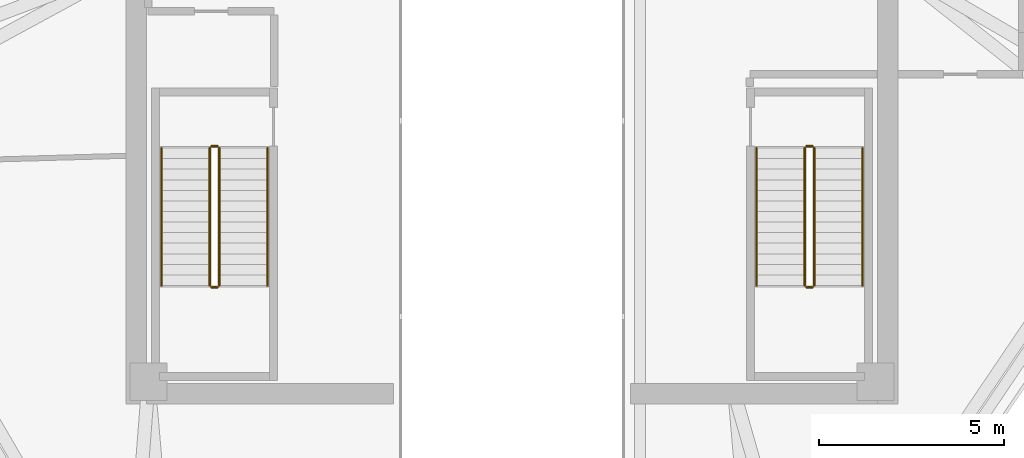
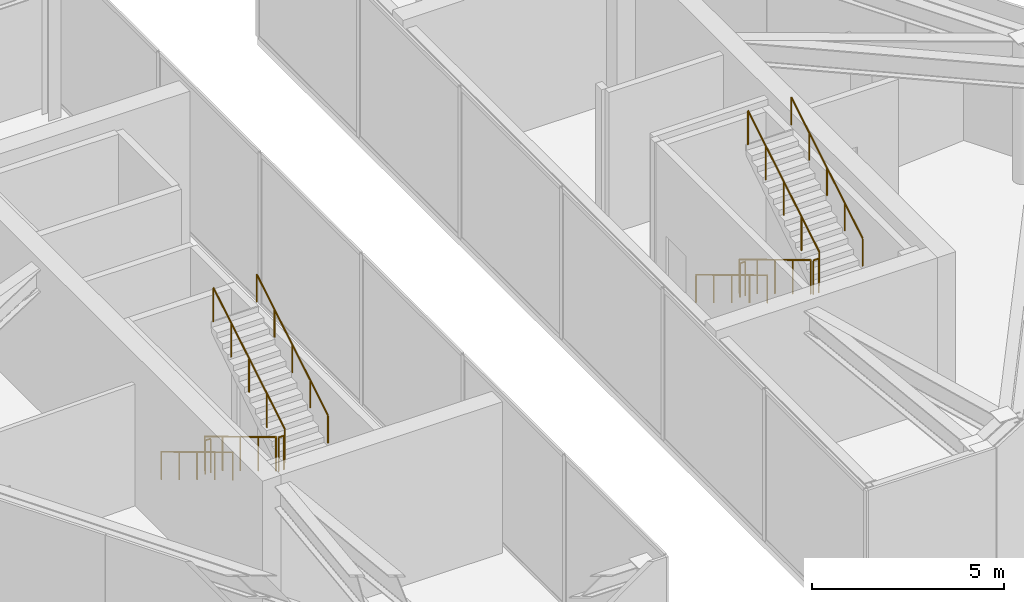
# One storey, part 8 of 8: 12 railings.
"""IFC4 building model written with IfcOpenShell, lengths in metres."""

from ifc_helpers import new_model, si_unit, direction, frame, origin, origin_2d, place, context, subcontext, project, spatial, circle, extrude, material, type_object, element, save


model = new_model("IFC4")

# Units and contexts
model_context = context("Model", 3, precision=1e-05, world=origin(), true_north=direction((0.0, 1.0)))
body_context = subcontext(model_context, "Body", "Model", "MODEL_VIEW")
ifc_project = project(units=[si_unit("LENGTHUNIT", "METRE"), si_unit("AREAUNIT", "SQUARE_METRE"), si_unit("VOLUMEUNIT", "CUBIC_METRE"), si_unit("PLANEANGLEUNIT", "RADIAN"), si_unit("MASSUNIT", "GRAM", prefix="KILO")], contexts=[model_context])

# Site, building, storey
site_placement = place(None, origin())
site = spatial("IfcSite", under=ifc_project, at=site_placement, CompositionType="ELEMENT")
building_placement = place(site_placement, origin())
building = spatial("IfcBuilding", under=site, at=building_placement, Name="Durnholm Broadcast Tower", CompositionType="ELEMENT")
storey_placement = place(building_placement, frame((0.0, 0.0, 277.300048828125)))
storey = spatial("IfcBuildingStorey", under=building, at=storey_placement, Name="L77", CompositionType="ELEMENT", Elevation=277.300048828125)

# Railings
ifc_material_1 = material(Name="Painted Tubular Steel Stair Guardrail", Category="steel")
railing_type_1 = type_object("IfcRailingType", Name="RAIL-ST-GRD", PredefinedType="GUARDRAIL", material=ifc_material_1)
railing_1_placement = place(storey_placement, frame((-8.14990234375, -1.5, 0.17138671875)))
element("IfcRailing", 1, at=railing_1_placement, inside=storey, type_object=railing_type_1, Name="L77 ST-1 stair guard 1", PredefinedType="GUARDRAIL", context=body_context, shape_type="SweptSolid", body=[
    extrude(circle(Radius=0.02392578125, at=origin_2d()), frame((0.0, 0.0, 1.076171875), z_axis=(0.0, -0.856934400257, 0.515425487977), x_axis=(1.0, 0.0, 0.0)), (0.0, 0.0, 1.0), 4.32373046875),
    extrude(circle(Radius=0.02099609375, at=origin_2d()), origin(), (0.0, 0.0, 1.0), 1.052001953125),
    extrude(circle(Radius=0.02099609375, at=origin_2d()), frame((0.0, -0.92626953125, 0.55712890625)), (0.0, 0.0, 1.0), 1.052001953125),
    extrude(circle(Radius=0.02099609375, at=origin_2d()), frame((0.0, -1.8525390625, 1.1142578125)), (0.0, 0.0, 1.0), 1.052001953125),
    extrude(circle(Radius=0.02099609375, at=origin_2d()), frame((0.0, -2.77880859375, 1.67138671875)), (0.0, 0.0, 1.0), 1.052001953125),
    extrude(circle(Radius=0.02099609375, at=origin_2d()), frame((0.0, -3.705078125, 2.228515625)), (0.0, 0.0, 1.0), 1.052001953125),
])
railing_2_placement = place(storey_placement, frame((-8.10009765625, -5.2548828125, 2.39990234375)))
element("IfcRailing", 2, at=railing_2_placement, inside=storey, type_object=railing_type_1, Name="L77 ST-1 stair guard 2", PredefinedType="GUARDRAIL", context=body_context, shape_type="SweptSolid", body=[
    extrude(circle(Radius=0.02392578125, at=origin_2d()), frame((0.0, 0.0, 1.076171875), z_axis=(1.0, 0.0, 0.0), x_axis=(0.0, 1.0, 0.0)), (0.0, 0.0, 1.0), 0.16015625),
    extrude(circle(Radius=0.02099609375, at=origin_2d()), origin(), (0.0, 0.0, 1.0), 1.052001953125),
    extrude(circle(Radius=0.02099609375, at=origin_2d()), frame((0.16015625, 0.0, 0.0)), (0.0, 0.0, 1.0), 1.052001953125),
])
railing_3_placement = place(storey_placement, frame((-7.889892578125, -5.205078125, 2.5712890625)))
element("IfcRailing", 3, at=railing_3_placement, inside=storey, type_object=railing_type_1, Name="L77 ST-1 stair guard 3", PredefinedType="GUARDRAIL", context=body_context, shape_type="SweptSolid", body=[
    extrude(circle(Radius=0.02392578125, at=origin_2d()), frame((0.0, 0.0, 1.076171875), z_axis=(0.0, 0.856909459561, 0.515466951525), x_axis=(-1.0, 0.0, 0.0)), (0.0, 0.0, 1.0), 4.32373046875),
    extrude(circle(Radius=0.02099609375, at=origin_2d()), origin(), (0.0, 0.0, 1.0), 1.052001953125),
    extrude(circle(Radius=0.02099609375, at=origin_2d()), frame((0.0, 0.92626953125, 0.55712890625)), (0.0, 0.0, 1.0), 1.052001953125),
    extrude(circle(Radius=0.02099609375, at=origin_2d()), frame((0.0, 1.8525390625, 1.1142578125)), (0.0, 0.0, 1.0), 1.052001953125),
    extrude(circle(Radius=0.02099609375, at=origin_2d()), frame((0.0, 2.77880859375, 1.671630859375)), (0.0, 0.0, 1.0), 1.052001953125),
    extrude(circle(Radius=0.02099609375, at=origin_2d()), frame((0.0, 3.705078125, 2.228759765625)), (0.0, 0.0, 1.0), 1.052001953125),
])
railing_4_placement = place(storey_placement, frame((-8.10009765625, -1.449951171875, 0.0)))
element("IfcRailing", 4, at=railing_4_placement, inside=storey, type_object=railing_type_1, Name="L77 ST-1 stair guard 4", PredefinedType="GUARDRAIL", context=body_context, shape_type="SweptSolid", body=[
    extrude(circle(Radius=0.02392578125, at=origin_2d()), frame((0.0, 0.0, 1.076171875), z_axis=(1.0, 0.0, 0.0), x_axis=(0.0, 1.0, 0.0)), (0.0, 0.0, 1.0), 0.16015625),
    extrude(circle(Radius=0.02099609375, at=origin_2d()), origin(), (0.0, 0.0, 1.0), 1.052001953125),
    extrude(circle(Radius=0.02099609375, at=origin_2d()), frame((0.16015625, 0.0, 0.0)), (0.0, 0.0, 1.0), 1.052001953125),
])
railing_5_placement = place(storey_placement, frame((7.889892578125, -1.5, 0.17138671875)))
element("IfcRailing", 5, at=railing_5_placement, inside=storey, type_object=railing_type_1, Name="L77 ST-2 stair guard 1", PredefinedType="GUARDRAIL", context=body_context, shape_type="SweptSolid", body=[
    extrude(circle(Radius=0.02392578125, at=origin_2d()), frame((0.0, 0.0, 1.076171875), z_axis=(0.0, -0.856934400257, 0.515425487977), x_axis=(1.0, 0.0, 0.0)), (0.0, 0.0, 1.0), 4.32373046875),
    extrude(circle(Radius=0.02099609375, at=origin_2d()), origin(), (0.0, 0.0, 1.0), 1.052001953125),
    extrude(circle(Radius=0.02099609375, at=origin_2d()), frame((0.0, -0.92626953125, 0.55712890625)), (0.0, 0.0, 1.0), 1.052001953125),
    extrude(circle(Radius=0.02099609375, at=origin_2d()), frame((0.0, -1.8525390625, 1.1142578125)), (0.0, 0.0, 1.0), 1.052001953125),
    extrude(circle(Radius=0.02099609375, at=origin_2d()), frame((0.0, -2.77880859375, 1.67138671875)), (0.0, 0.0, 1.0), 1.052001953125),
    extrude(circle(Radius=0.02099609375, at=origin_2d()), frame((0.0, -3.705078125, 2.228515625)), (0.0, 0.0, 1.0), 1.052001953125),
])
railing_6_placement = place(storey_placement, frame((7.93994140625, -5.2548828125, 2.39990234375)))
element("IfcRailing", 6, at=railing_6_placement, inside=storey, type_object=railing_type_1, Name="L77 ST-2 stair guard 2", PredefinedType="GUARDRAIL", context=body_context, shape_type="SweptSolid", body=[
    extrude(circle(Radius=0.02392578125, at=origin_2d()), frame((0.0, 0.0, 1.076171875), z_axis=(1.0, 0.0, 0.0), x_axis=(0.0, 1.0, 0.0)), (0.0, 0.0, 1.0), 0.16015625),
    extrude(circle(Radius=0.02099609375, at=origin_2d()), origin(), (0.0, 0.0, 1.0), 1.052001953125),
    extrude(circle(Radius=0.02099609375, at=origin_2d()), frame((0.16015625, 0.0, 0.0)), (0.0, 0.0, 1.0), 1.052001953125),
])
railing_7_placement = place(storey_placement, frame((8.14990234375, -5.205078125, 2.5712890625)))
element("IfcRailing", 7, at=railing_7_placement, inside=storey, type_object=railing_type_1, Name="L77 ST-2 stair guard 3", PredefinedType="GUARDRAIL", context=body_context, shape_type="SweptSolid", body=[
    extrude(circle(Radius=0.02392578125, at=origin_2d()), frame((0.0, 0.0, 1.076171875), z_axis=(0.0, 0.856909459561, 0.515466951525), x_axis=(-1.0, 0.0, 0.0)), (0.0, 0.0, 1.0), 4.32373046875),
    extrude(circle(Radius=0.02099609375, at=origin_2d()), origin(), (0.0, 0.0, 1.0), 1.052001953125),
    extrude(circle(Radius=0.02099609375, at=origin_2d()), frame((0.0, 0.92626953125, 0.55712890625)), (0.0, 0.0, 1.0), 1.052001953125),
    extrude(circle(Radius=0.02099609375, at=origin_2d()), frame((0.0, 1.8525390625, 1.1142578125)), (0.0, 0.0, 1.0), 1.052001953125),
    extrude(circle(Radius=0.02099609375, at=origin_2d()), frame((0.0, 2.77880859375, 1.671630859375)), (0.0, 0.0, 1.0), 1.052001953125),
    extrude(circle(Radius=0.02099609375, at=origin_2d()), frame((0.0, 3.705078125, 2.228759765625)), (0.0, 0.0, 1.0), 1.052001953125),
])
railing_8_placement = place(storey_placement, frame((7.93994140625, -1.449951171875, 0.0)))
element("IfcRailing", 8, at=railing_8_placement, inside=storey, type_object=railing_type_1, Name="L77 ST-2 stair guard 4", PredefinedType="GUARDRAIL", context=body_context, shape_type="SweptSolid", body=[
    extrude(circle(Radius=0.02392578125, at=origin_2d()), frame((0.0, 0.0, 1.076171875), z_axis=(1.0, 0.0, 0.0), x_axis=(0.0, 1.0, 0.0)), (0.0, 0.0, 1.0), 0.16015625),
    extrude(circle(Radius=0.02099609375, at=origin_2d()), origin(), (0.0, 0.0, 1.0), 1.052001953125),
    extrude(circle(Radius=0.02099609375, at=origin_2d()), frame((0.16015625, 0.0, 0.0)), (0.0, 0.0, 1.0), 1.052001953125),
])
ifc_material_2 = material(Name="Brushed Stainless Steel Handrail", Category="steel")
railing_type_2 = type_object("IfcRailingType", Name="RAIL-ST-HND", PredefinedType="HANDRAIL", material=ifc_material_2)
railing_9_placement = place(storey_placement, frame((-9.449951171875, -1.5, 0.3427734375)))
element("IfcRailing", 9, at=railing_9_placement, inside=storey, type_object=railing_type_2, Name="L77 ST-1 stair handrail 1", PredefinedType="HANDRAIL", context=body_context, shape_type="SweptSolid", body=[
    extrude(circle(Radius=0.02392578125, at=origin_2d()), frame((0.0, 0.0, 0.8759765625), z_axis=(0.0, -0.856934400257, 0.515425487977), x_axis=(1.0, 0.0, 0.0)), (0.0, 0.0, 1.0), 4.32373046875),
    extrude(circle(Radius=0.02099609375, at=origin_2d()), origin(), (0.0, 0.0, 1.0), 0.851806640625),
    extrude(circle(Radius=0.02099609375, at=origin_2d()), frame((0.0, -0.92626953125, 0.55712890625)), (0.0, 0.0, 1.0), 0.851806640625),
    extrude(circle(Radius=0.02099609375, at=origin_2d()), frame((0.0, -1.8525390625, 1.1142578125)), (0.0, 0.0, 1.0), 0.851806640625),
    extrude(circle(Radius=0.02099609375, at=origin_2d()), frame((0.0, -2.77880859375, 1.67138671875)), (0.0, 0.0, 1.0), 0.851806640625),
    extrude(circle(Radius=0.02099609375, at=origin_2d()), frame((0.0, -3.705078125, 2.228515625)), (0.0, 0.0, 1.0), 0.851806640625),
])
railing_10_placement = place(storey_placement, frame((-6.590087890625, -5.205078125, 2.742919921875)))
element("IfcRailing", 10, at=railing_10_placement, inside=storey, type_object=railing_type_2, Name="L77 ST-1 stair handrail 2", PredefinedType="HANDRAIL", context=body_context, shape_type="SweptSolid", body=[
    extrude(circle(Radius=0.02392578125, at=origin_2d()), frame((0.0, 0.0, 0.8759765625), z_axis=(0.0, 0.856934400257, 0.515425487977), x_axis=(-1.0, 0.0, 0.0)), (0.0, 0.0, 1.0), 4.32373046875),
    extrude(circle(Radius=0.02099609375, at=origin_2d()), origin(), (0.0, 0.0, 1.0), 0.851806640625),
    extrude(circle(Radius=0.02099609375, at=origin_2d()), frame((0.0, 0.92626953125, 0.55712890625)), (0.0, 0.0, 1.0), 0.851806640625),
    extrude(circle(Radius=0.02099609375, at=origin_2d()), frame((0.0, 1.8525390625, 1.1142578125)), (0.0, 0.0, 1.0), 0.851806640625),
    extrude(circle(Radius=0.02099609375, at=origin_2d()), frame((0.0, 2.77880859375, 1.67138671875)), (0.0, 0.0, 1.0), 0.851806640625),
    extrude(circle(Radius=0.02099609375, at=origin_2d()), frame((0.0, 3.705078125, 2.228515625)), (0.0, 0.0, 1.0), 0.851806640625),
])
railing_11_placement = place(storey_placement, frame((6.590087890625, -1.5, 0.3427734375)))
element("IfcRailing", 11, at=railing_11_placement, inside=storey, type_object=railing_type_2, Name="L77 ST-2 stair handrail 1", PredefinedType="HANDRAIL", context=body_context, shape_type="SweptSolid", body=[
    extrude(circle(Radius=0.02392578125, at=origin_2d()), frame((0.0, 0.0, 0.8759765625), z_axis=(0.0, -0.856934400257, 0.515425487977), x_axis=(1.0, 0.0, 0.0)), (0.0, 0.0, 1.0), 4.32373046875),
    extrude(circle(Radius=0.02099609375, at=origin_2d()), origin(), (0.0, 0.0, 1.0), 0.851806640625),
    extrude(circle(Radius=0.02099609375, at=origin_2d()), frame((0.0, -0.92626953125, 0.55712890625)), (0.0, 0.0, 1.0), 0.851806640625),
    extrude(circle(Radius=0.02099609375, at=origin_2d()), frame((0.0, -1.8525390625, 1.1142578125)), (0.0, 0.0, 1.0), 0.851806640625),
    extrude(circle(Radius=0.02099609375, at=origin_2d()), frame((0.0, -2.77880859375, 1.67138671875)), (0.0, 0.0, 1.0), 0.851806640625),
    extrude(circle(Radius=0.02099609375, at=origin_2d()), frame((0.0, -3.705078125, 2.228515625)), (0.0, 0.0, 1.0), 0.851806640625),
])
railing_12_placement = place(storey_placement, frame((9.449951171875, -5.205078125, 2.742919921875)))
element("IfcRailing", 12, at=railing_12_placement, inside=storey, type_object=railing_type_2, Name="L77 ST-2 stair handrail 2", PredefinedType="HANDRAIL", context=body_context, shape_type="SweptSolid", body=[
    extrude(circle(Radius=0.02392578125, at=origin_2d()), frame((0.0, 0.0, 0.8759765625), z_axis=(0.0, 0.856934400257, 0.515425487977), x_axis=(-1.0, 0.0, 0.0)), (0.0, 0.0, 1.0), 4.32373046875),
    extrude(circle(Radius=0.02099609375, at=origin_2d()), origin(), (0.0, 0.0, 1.0), 0.851806640625),
    extrude(circle(Radius=0.02099609375, at=origin_2d()), frame((0.0, 0.92626953125, 0.55712890625)), (0.0, 0.0, 1.0), 0.851806640625),
    extrude(circle(Radius=0.02099609375, at=origin_2d()), frame((0.0, 1.8525390625, 1.1142578125)), (0.0, 0.0, 1.0), 0.851806640625),
    extrude(circle(Radius=0.02099609375, at=origin_2d()), frame((0.0, 2.77880859375, 1.67138671875)), (0.0, 0.0, 1.0), 0.851806640625),
    extrude(circle(Radius=0.02099609375, at=origin_2d()), frame((0.0, 3.705078125, 2.228515625)), (0.0, 0.0, 1.0), 0.851806640625),
])

save(model, "model.ifc")
